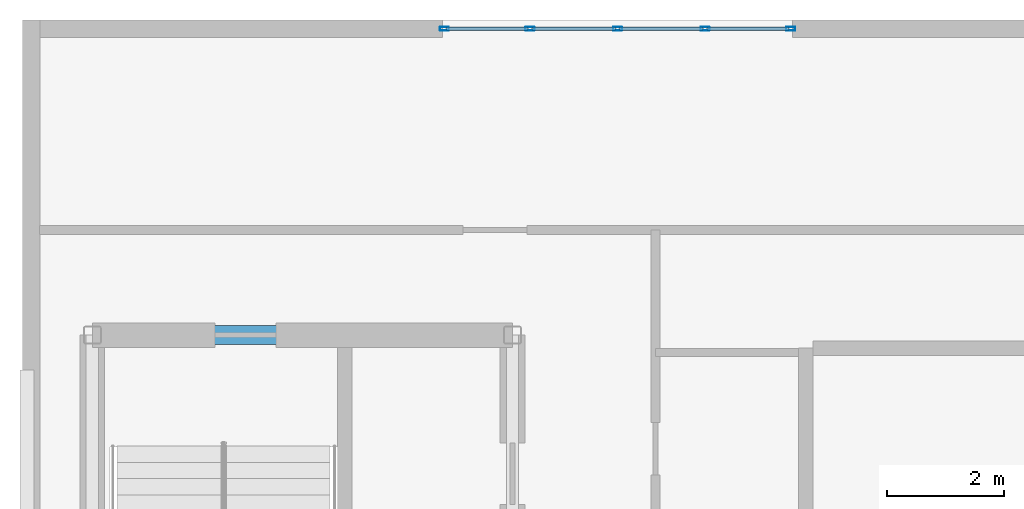
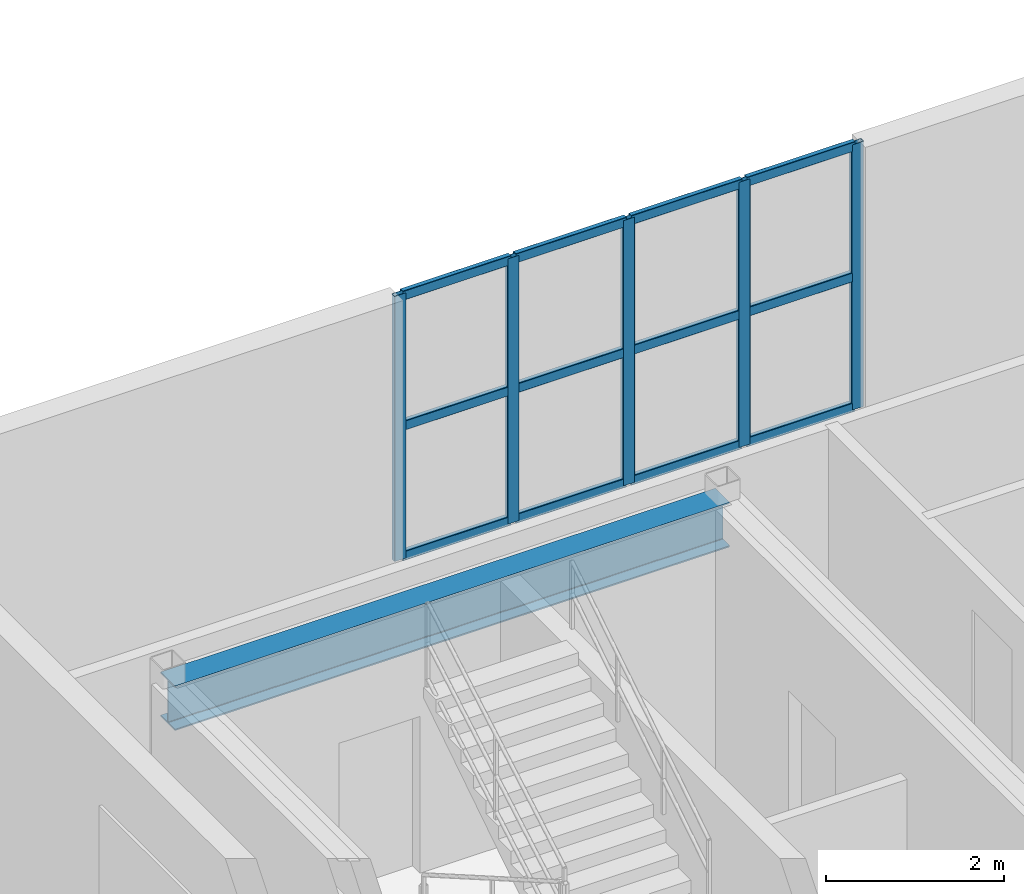
# One storey, part 3 of 6: 17 members, 1 beam, 1 element without a shape of its own.
"""IFC4 building model written with IfcOpenShell, lengths in metres."""

import ifcopenshell
import ifcopenshell.guid

model = None  # the IFC model being written
_history = None  # IfcOwnerHistory: only IFC2X3 demands one
_inside = {}  # id of a spatial element -> (the spatial element, [elements in it])
_under = {}  # id of a project, library or spatial element -> (it, [spatial elements below it])
_declared = {}  # id of a project -> (the project, [libraries it declares])
_typed = {}  # id of a type object -> (the type object, [elements of that type])
_made_of = {}  # id of a material, layer set ... -> (it, [elements and type objects made of it])


def new_model(schema):
    """Start an empty IFC model of exactly this schema.

    Asked for "IFC4X3", IfcOpenShell would pick the latest addendum, in which some entities
    have other attributes; the version numbers below select the first issue.
    IFC2X3 requires an IfcOwnerHistory on every rooted entity: one is made here for all.
    """
    global model, _history
    if schema == "IFC4X3":
        model = ifcopenshell.file(schema_version=(4, 3, 0, 0))
    else:
        model = ifcopenshell.file(schema=schema)
    _inside.clear()
    _under.clear()
    _declared.clear()
    _typed.clear()
    _made_of.clear()
    _history = None
    if model.schema == "IFC2X3":
        org = make("IfcOrganization", Name="unknown")
        user = make(
            "IfcPersonAndOrganization",
            ThePerson=make("IfcPerson", FamilyName="unknown"),
            TheOrganization=org,
        )
        app = make(
            "IfcApplication",
            ApplicationDeveloper=org,
            Version="unknown",
            ApplicationFullName="unknown",
            ApplicationIdentifier="unknown",
        )
        _history = make(
            "IfcOwnerHistory",
            OwningUser=user,
            OwningApplication=app,
            ChangeAction="ADDED",
            CreationDate=0,
        )
    return model


def make(cls, **values):
    """One entity of the class cls with the attributes given. An attribute that is None is left unset."""
    return model.create_entity(
        cls, **{name: value for name, value in values.items() if value is not None}
    )


def entity(cls, *values):
    """Any entity or typed value of the class cls, its attributes in the order of the schema. None: left unset."""
    e = model.create_entity(cls)
    for i, value in enumerate(values):
        if value is not None:
            e[i] = value
    return e


def rooted(cls, **values):
    """An entity with a GlobalId (a new one), such as an element, a storey or a relation."""
    return make(cls, GlobalId=ifcopenshell.guid.new(), OwnerHistory=_history, **values)


def si_unit(unit_type, name, prefix=None):
    """IfcSIUnit, for example si_unit("LENGTHUNIT", "METRE", prefix="MILLI")."""
    return make("IfcSIUnit", UnitType=unit_type, Prefix=prefix, Name=name)


def converted_unit(unit_type, name, factor, base, dimensions=None, offset=None):
    """IfcConversionBasedUnit, such as the inch: factor (a typed value) times the base unit."""
    return make(
        "IfcConversionBasedUnit"
        if offset is None
        else "IfcConversionBasedUnitWithOffset",
        ConversionOffset=offset,
        Dimensions=None
        if dimensions is None
        else entity("IfcDimensionalExponents", *dimensions),
        UnitType=unit_type,
        Name=name,
        ConversionFactor=make(
            "IfcMeasureWithUnit", ValueComponent=factor, UnitComponent=base
        ),
    )


def assignment(units):
    """IfcUnitAssignment: the units of a project."""
    return None if units is None else make("IfcUnitAssignment", Units=units)


def point(xyz):
    """IfcCartesianPoint."""
    return None if xyz is None else make("IfcCartesianPoint", Coordinates=xyz)


def direction(xyz):
    """IfcDirection."""
    return None if xyz is None else make("IfcDirection", DirectionRatios=xyz)


def frame(location, z_axis=None, x_axis=None):
    """IfcAxis2Placement3D, a coordinate frame: its origin and axes. An axis left out is left unset."""
    return make(
        "IfcAxis2Placement3D",
        Location=point(location),
        Axis=direction(z_axis),
        RefDirection=direction(x_axis),
    )


def frame_2d(location, x_axis=None):
    """IfcAxis2Placement2D, a coordinate frame in the plane: its origin and x axis."""
    return make(
        "IfcAxis2Placement2D", Location=point(location), RefDirection=direction(x_axis)
    )


def origin_with_axes():
    """The frame at (0, 0, 0) with the z axis (0, 0, 1) and the x axis (1, 0, 0) written out."""
    return frame((0.0, 0.0, 0.0), z_axis=(0.0, 0.0, 1.0), x_axis=(1.0, 0.0, 0.0))


def origin_2d_with_axis():
    """The frame at (0, 0) in the plane with the x axis (1, 0) written out."""
    return frame_2d((0.0, 0.0), x_axis=(1.0, 0.0))


def place(relative_to, where):
    """IfcLocalPlacement: puts the frame where relative to a parent placement (None: the world)."""
    return make(
        "IfcLocalPlacement", PlacementRelTo=relative_to, RelativePlacement=where
    )


def context(
    kind, dimensions, precision=None, world=None, true_north=None, identifier=None
):
    """IfcGeometricRepresentationContext, for example the 3D "Model" context."""
    return make(
        "IfcGeometricRepresentationContext",
        ContextIdentifier=identifier,
        ContextType=kind,
        CoordinateSpaceDimension=dimensions,
        Precision=precision,
        WorldCoordinateSystem=world,
        TrueNorth=true_north,
    )


def subcontext(parent, identifier, kind, view, scale=None):
    """IfcGeometricRepresentationSubContext, for example "Body" below "Model"."""
    return make(
        "IfcGeometricRepresentationSubContext",
        ContextIdentifier=identifier,
        ContextType=kind,
        ParentContext=parent,
        TargetScale=scale,
        TargetView=view,
    )


def project(units=None, contexts=None):
    """IfcProject with its units and contexts."""
    return rooted(
        "IfcProject",
        Name="project",
        RepresentationContexts=contexts,
        UnitsInContext=assignment(units),
    )


def spatial(cls, under=None, at=None, **own):
    """A site, building, storey or space (cls), placed at a placement, below another one or the project."""
    s = rooted(cls, ObjectPlacement=at, **own)
    if under is not None:
        _under.setdefault(under.id(), (under, []))[1].append(s)
    return s


def profile(cls, at=None, kind="AREA", **sizes):
    """A parametric profile (cls). Its sizes go by their IFC names, for example OverallWidth=200.0."""
    return make(cls, ProfileType=kind, Position=at, **sizes)


def hollow_rectangle(**sizes):
    """IfcRectangleHollowProfileDef."""
    return profile("IfcRectangleHollowProfileDef", **sizes)


def i_section(**sizes):
    """IfcIShapeProfileDef."""
    return profile("IfcIShapeProfileDef", **sizes)


def extrude(swept, where, along, depth):
    """IfcExtrudedAreaSolid: the profile swept, set in the frame where, extruded along a direction by depth."""
    return make(
        "IfcExtrudedAreaSolid",
        SweptArea=swept,
        Position=where,
        ExtrudedDirection=direction(along),
        Depth=depth,
    )


def shape(context_of_items, identifier, shape_type, items):
    """IfcShapeRepresentation: the items that make up one representation, for example the "Body"."""
    return make(
        "IfcShapeRepresentation",
        ContextOfItems=context_of_items,
        RepresentationIdentifier=identifier,
        RepresentationType=shape_type,
        Items=items,
    )


def material(Name=None, Category=None):
    """IfcMaterial."""
    return make("IfcMaterial", Name=Name, Category=Category)


def material_profile(
    of_material, cross_section, Name=None, Category=None, Priority=None
):
    """IfcMaterialProfile: a cross section and its material."""
    return make(
        "IfcMaterialProfile",
        Name=Name,
        Material=of_material,
        Profile=cross_section,
        Priority=Priority,
        Category=Category,
    )


def profile_set(profiles, Name=None, composite=None):
    """IfcMaterialProfileSet."""
    return make(
        "IfcMaterialProfileSet",
        Name=Name,
        MaterialProfiles=profiles,
        CompositeProfile=composite,
    )


def made_of(thing, what):
    """Note that an element or type object is made of a material, layer set ...; save() writes the relation."""
    if what is not None:
        _made_of.setdefault(what.id(), (what, []))[1].append(thing)
    return thing


def type_object(cls, material=None, **own):
    """A type object (cls), such as IfcWallType, which elements share."""
    return made_of(rooted(cls, **own), material)


def element(
    cls,
    number,
    at=None,
    inside=None,
    cuts=None,
    type_object=None,
    material=None,
    context=None,
    identifier="Body",
    shape_type=None,
    held_by="IfcProductDefinitionShape",
    body=None,
    shapes=None,
    **own,
):
    """One element of the class cls, such as IfcWall. Its Tag is "e" and its number.

    at: its placement. inside: the storey or other place that contains it. cuts: it is an
    opening in that element (IfcRelVoidsElement). A single representation is given by context,
    identifier, shape_type and body (its items); several are given by shapes. held_by: the class
    of the entity that holds the representations. save() writes the other relations.
    """
    e = rooted(cls, Tag="e%d" % number, ObjectPlacement=at, **own)
    if body is not None:
        shapes = [shape(context, identifier, shape_type, body)]
    if shapes is not None:
        e.Representation = make(held_by, Representations=shapes)
    if inside is not None:
        _inside.setdefault(inside.id(), (inside, []))[1].append(e)
    if cuts is not None:
        rooted(
            "IfcRelVoidsElement", RelatingBuildingElement=cuts, RelatedOpeningElement=e
        )
    if type_object is not None:
        _typed.setdefault(type_object.id(), (type_object, []))[1].append(e)
    return made_of(e, material)


def aggregate(whole, parts):
    """IfcRelAggregates: a whole, such as a stair, and the parts it consists of."""
    return rooted("IfcRelAggregates", RelatingObject=whole, RelatedObjects=parts)


def save(model, path):
    """Write the relations noted so far, then the file.

    IfcRelAggregates (storeys below a building ...), IfcRelContainedInSpatialStructure (elements
    in a storey), IfcRelDefinesByType, IfcRelAssociatesMaterial and IfcRelDeclares: one each for
    every whole, place, type object, material and project.
    """
    for whole, parts in _under.values():
        aggregate(whole, parts)
    for where, things in _inside.values():
        rooted(
            "IfcRelContainedInSpatialStructure",
            RelatedElements=things,
            RelatingStructure=where,
        )
    for kind, things in _typed.values():
        rooted("IfcRelDefinesByType", RelatedObjects=things, RelatingType=kind)
    for what, things in _made_of.values():
        rooted("IfcRelAssociatesMaterial", RelatedObjects=things, RelatingMaterial=what)
    for by, libraries in _declared.values():
        rooted("IfcRelDeclares", RelatingContext=by, RelatedDefinitions=libraries)
    model.write(path)


model = new_model("IFC4")

# Units and contexts
model_context = context("Model", 3, precision=1e-05, world=origin_with_axes(), true_north=direction((0.0, 1.0)))
body_context = subcontext(model_context, "Body", "Model", "MODEL_VIEW")
ifc_project = project(units=[si_unit("LENGTHUNIT", "METRE"), si_unit("AREAUNIT", "SQUARE_METRE"), si_unit("VOLUMEUNIT", "CUBIC_METRE"), converted_unit("PLANEANGLEUNIT", "DEGREE", entity("IfcPlaneAngleMeasure", 0.017453292519943295), si_unit("PLANEANGLEUNIT", "RADIAN"), dimensions=[0, 0, 0, 0, 0, 0, 0]), si_unit("MASSUNIT", "GRAM", prefix="KILO"), si_unit("THERMODYNAMICTEMPERATUREUNIT", "KELVIN")], contexts=[model_context])

# Site, building, storey
site_placement = place(None, origin_with_axes())
site = spatial("IfcSite", under=ifc_project, at=site_placement, CompositionType="ELEMENT")
building_placement = place(site_placement, origin_with_axes())
building = spatial("IfcBuilding", under=site, at=building_placement, Name="Varnlund Millrace Tower", CompositionType="ELEMENT")
storey_placement = place(building_placement, frame((0.0, 0.0, 324.3), z_axis=(0.0, 0.0, 1.0), x_axis=(1.0, 0.0, 0.0)))
storey = spatial("IfcBuildingStorey", under=building, at=storey_placement, Name="L80", CompositionType="ELEMENT", Elevation=324.3)

# Curtain wall, members
ifc_material_1 = material(Name="Thermally broken architectural bronze curtain wall", Category="aluminium")
curtain_wall_type = type_object("IfcCurtainWallType", Name="Type-CW-Sys7-CrownLantern", PredefinedType="NOTDEFINED", material=ifc_material_1)
curtain_wall_placement = place(storey_placement, frame((17.4, 43.05, 0.0), z_axis=(0.0, 0.0, 1.0), x_axis=(1.0, 0.0, 0.0)))
curtain_wall = element("IfcCurtainWall", 1, at=curtain_wall_placement, inside=storey, type_object=curtain_wall_type, Name="Type-CW-Sys7-CrownLantern", PredefinedType="NOTDEFINED")
ifc_material_2 = material(Name="Architectural bronze aluminium alloy 6063-T6", Category="aluminium")
ifc_material_profile_1 = material_profile(ifc_material_2, hollow_rectangle(XDim=0.065, YDim=0.155, WallThickness=0.0045, InnerFilletRadius=0.004, OuterFilletRadius=0.009, at=origin_2d_with_axis()), Name="Architectural bronze aluminium alloy 6063-T6")
ifc_profile_set_1 = profile_set([ifc_material_profile_1], Name="Architectural bronze aluminium alloy 6063-T6")
member_type_1 = type_object("IfcMemberType", Name="Type-CW-Mullion-65X155", PredefinedType="MULLION", material=ifc_profile_set_1)
member_1_placement = place(storey_placement, frame((17.4325, 43.05, 0.0), z_axis=(0.0, 0.0, 1.0), x_axis=(0.0, 1.0, 0.0)))
member_1 = element("IfcMember", 2, at=member_1_placement, type_object=member_type_1, Name="CW-07 mullion 1", PredefinedType="MULLION", context=body_context, shape_type="SweptSolid", body=[
    extrude(hollow_rectangle(XDim=0.065, YDim=0.155, WallThickness=0.0045, InnerFilletRadius=0.004, OuterFilletRadius=0.009, at=origin_2d_with_axis()), origin_with_axes(), (0.0, 0.0, 1.0), 3.64),
])
member_2_placement = place(storey_placement, frame((18.9, 43.05, 0.0), z_axis=(0.0, 0.0, 1.0), x_axis=(0.0, 1.0, 0.0)))
member_2 = element("IfcMember", 3, at=member_2_placement, type_object=member_type_1, Name="CW-07 mullion 2", PredefinedType="MULLION", context=body_context, shape_type="SweptSolid", body=[
    extrude(hollow_rectangle(XDim=0.065, YDim=0.155, WallThickness=0.0045, InnerFilletRadius=0.004, OuterFilletRadius=0.009, at=origin_2d_with_axis()), origin_with_axes(), (0.0, 0.0, 1.0), 3.64),
])
member_3_placement = place(storey_placement, frame((20.4, 43.05, 0.0), z_axis=(0.0, 0.0, 1.0), x_axis=(0.0, 1.0, 0.0)))
member_3 = element("IfcMember", 4, at=member_3_placement, type_object=member_type_1, Name="CW-07 mullion 3", PredefinedType="MULLION", context=body_context, shape_type="SweptSolid", body=[
    extrude(hollow_rectangle(XDim=0.065, YDim=0.155, WallThickness=0.0045, InnerFilletRadius=0.004, OuterFilletRadius=0.009, at=origin_2d_with_axis()), origin_with_axes(), (0.0, 0.0, 1.0), 3.64),
])
member_4_placement = place(storey_placement, frame((21.9, 43.05, 0.0), z_axis=(0.0, 0.0, 1.0), x_axis=(0.0, 1.0, 0.0)))
member_4 = element("IfcMember", 5, at=member_4_placement, type_object=member_type_1, Name="CW-07 mullion 4", PredefinedType="MULLION", context=body_context, shape_type="SweptSolid", body=[
    extrude(hollow_rectangle(XDim=0.065, YDim=0.155, WallThickness=0.0045, InnerFilletRadius=0.004, OuterFilletRadius=0.009, at=origin_2d_with_axis()), origin_with_axes(), (0.0, 0.0, 1.0), 3.64),
])
member_5_placement = place(storey_placement, frame((23.3675, 43.05, 0.0), z_axis=(0.0, 0.0, 1.0), x_axis=(0.0, 1.0, 0.0)))
member_5 = element("IfcMember", 6, at=member_5_placement, type_object=member_type_1, Name="CW-07 mullion 5", PredefinedType="MULLION", context=body_context, shape_type="SweptSolid", body=[
    extrude(hollow_rectangle(XDim=0.065, YDim=0.155, WallThickness=0.0045, InnerFilletRadius=0.004, OuterFilletRadius=0.009, at=origin_2d_with_axis()), origin_with_axes(), (0.0, 0.0, 1.0), 3.64),
])
ifc_material_profile_2 = material_profile(ifc_material_2, hollow_rectangle(XDim=0.065, YDim=0.13, WallThickness=0.0045, InnerFilletRadius=0.004, OuterFilletRadius=0.009, at=origin_2d_with_axis()), Name="Architectural bronze aluminium alloy 6063-T6")
ifc_profile_set_2 = profile_set([ifc_material_profile_2], Name="Architectural bronze aluminium alloy 6063-T6")
member_type_2 = type_object("IfcMemberType", Name="Type-CW-Transom-65X130", PredefinedType="USERDEFINED", material=ifc_profile_set_2)
member_6_placement = place(storey_placement, frame((17.465, 43.05, 0.0325), z_axis=(1.0, 0.0, 0.0), x_axis=(0.0, 1.0, 0.0)))
member_6 = element("IfcMember", 7, at=member_6_placement, type_object=member_type_2, Name="CW-07 transom 1.1", ObjectType="TRANSOM", PredefinedType="USERDEFINED", context=body_context, shape_type="SweptSolid", body=[
    extrude(hollow_rectangle(XDim=0.065, YDim=0.13, WallThickness=0.0045, InnerFilletRadius=0.004, OuterFilletRadius=0.009, at=origin_2d_with_axis()), origin_with_axes(), (0.0, 0.0, 1.0), 1.4025),
])
member_7_placement = place(storey_placement, frame((17.465, 43.05, 1.82), z_axis=(1.0, 0.0, 0.0), x_axis=(0.0, 1.0, 0.0)))
member_7 = element("IfcMember", 8, at=member_7_placement, type_object=member_type_2, Name="CW-07 transom 1.2", ObjectType="TRANSOM", PredefinedType="USERDEFINED", context=body_context, shape_type="SweptSolid", body=[
    extrude(hollow_rectangle(XDim=0.065, YDim=0.13, WallThickness=0.0045, InnerFilletRadius=0.004, OuterFilletRadius=0.009, at=origin_2d_with_axis()), origin_with_axes(), (0.0, 0.0, 1.0), 1.4025),
])
member_8_placement = place(storey_placement, frame((17.465, 43.05, 3.6075), z_axis=(1.0, 0.0, 0.0), x_axis=(0.0, 1.0, 0.0)))
member_8 = element("IfcMember", 9, at=member_8_placement, type_object=member_type_2, Name="CW-07 transom 1.3", ObjectType="TRANSOM", PredefinedType="USERDEFINED", context=body_context, shape_type="SweptSolid", body=[
    extrude(hollow_rectangle(XDim=0.065, YDim=0.13, WallThickness=0.0045, InnerFilletRadius=0.004, OuterFilletRadius=0.009, at=origin_2d_with_axis()), origin_with_axes(), (0.0, 0.0, 1.0), 1.4025),
])
member_9_placement = place(storey_placement, frame((18.9325, 43.05, 0.0325), z_axis=(1.0, 0.0, 0.0), x_axis=(0.0, 1.0, 0.0)))
member_9 = element("IfcMember", 10, at=member_9_placement, type_object=member_type_2, Name="CW-07 transom 2.1", ObjectType="TRANSOM", PredefinedType="USERDEFINED", context=body_context, shape_type="SweptSolid", body=[
    extrude(hollow_rectangle(XDim=0.065, YDim=0.13, WallThickness=0.0045, InnerFilletRadius=0.004, OuterFilletRadius=0.009, at=origin_2d_with_axis()), origin_with_axes(), (0.0, 0.0, 1.0), 1.435),
])
member_10_placement = place(storey_placement, frame((18.9325, 43.05, 1.82), z_axis=(1.0, 0.0, 0.0), x_axis=(0.0, 1.0, 0.0)))
member_10 = element("IfcMember", 11, at=member_10_placement, type_object=member_type_2, Name="CW-07 transom 2.2", ObjectType="TRANSOM", PredefinedType="USERDEFINED", context=body_context, shape_type="SweptSolid", body=[
    extrude(hollow_rectangle(XDim=0.065, YDim=0.13, WallThickness=0.0045, InnerFilletRadius=0.004, OuterFilletRadius=0.009, at=origin_2d_with_axis()), origin_with_axes(), (0.0, 0.0, 1.0), 1.435),
])
member_11_placement = place(storey_placement, frame((18.9325, 43.05, 3.6075), z_axis=(1.0, 0.0, 0.0), x_axis=(0.0, 1.0, 0.0)))
member_11 = element("IfcMember", 12, at=member_11_placement, type_object=member_type_2, Name="CW-07 transom 2.3", ObjectType="TRANSOM", PredefinedType="USERDEFINED", context=body_context, shape_type="SweptSolid", body=[
    extrude(hollow_rectangle(XDim=0.065, YDim=0.13, WallThickness=0.0045, InnerFilletRadius=0.004, OuterFilletRadius=0.009, at=origin_2d_with_axis()), origin_with_axes(), (0.0, 0.0, 1.0), 1.435),
])
member_12_placement = place(storey_placement, frame((20.4325, 43.05, 0.0325), z_axis=(1.0, 0.0, 0.0), x_axis=(0.0, 1.0, 0.0)))
member_12 = element("IfcMember", 13, at=member_12_placement, type_object=member_type_2, Name="CW-07 transom 3.1", ObjectType="TRANSOM", PredefinedType="USERDEFINED", context=body_context, shape_type="SweptSolid", body=[
    extrude(hollow_rectangle(XDim=0.065, YDim=0.13, WallThickness=0.0045, InnerFilletRadius=0.004, OuterFilletRadius=0.009, at=origin_2d_with_axis()), origin_with_axes(), (0.0, 0.0, 1.0), 1.435),
])
member_13_placement = place(storey_placement, frame((20.4325, 43.05, 1.82), z_axis=(1.0, 0.0, 0.0), x_axis=(0.0, 1.0, 0.0)))
member_13 = element("IfcMember", 14, at=member_13_placement, type_object=member_type_2, Name="CW-07 transom 3.2", ObjectType="TRANSOM", PredefinedType="USERDEFINED", context=body_context, shape_type="SweptSolid", body=[
    extrude(hollow_rectangle(XDim=0.065, YDim=0.13, WallThickness=0.0045, InnerFilletRadius=0.004, OuterFilletRadius=0.009, at=origin_2d_with_axis()), origin_with_axes(), (0.0, 0.0, 1.0), 1.435),
])
member_14_placement = place(storey_placement, frame((20.4325, 43.05, 3.6075), z_axis=(1.0, 0.0, 0.0), x_axis=(0.0, 1.0, 0.0)))
member_14 = element("IfcMember", 15, at=member_14_placement, type_object=member_type_2, Name="CW-07 transom 3.3", ObjectType="TRANSOM", PredefinedType="USERDEFINED", context=body_context, shape_type="SweptSolid", body=[
    extrude(hollow_rectangle(XDim=0.065, YDim=0.13, WallThickness=0.0045, InnerFilletRadius=0.004, OuterFilletRadius=0.009, at=origin_2d_with_axis()), origin_with_axes(), (0.0, 0.0, 1.0), 1.435),
])
member_15_placement = place(storey_placement, frame((21.9325, 43.05, 0.0325), z_axis=(1.0, 0.0, 0.0), x_axis=(0.0, 1.0, 0.0)))
member_15 = element("IfcMember", 16, at=member_15_placement, type_object=member_type_2, Name="CW-07 transom 4.1", ObjectType="TRANSOM", PredefinedType="USERDEFINED", context=body_context, shape_type="SweptSolid", body=[
    extrude(hollow_rectangle(XDim=0.065, YDim=0.13, WallThickness=0.0045, InnerFilletRadius=0.004, OuterFilletRadius=0.009, at=origin_2d_with_axis()), origin_with_axes(), (0.0, 0.0, 1.0), 1.4025),
])
member_16_placement = place(storey_placement, frame((21.9325, 43.05, 1.82), z_axis=(1.0, 0.0, 0.0), x_axis=(0.0, 1.0, 0.0)))
member_16 = element("IfcMember", 17, at=member_16_placement, type_object=member_type_2, Name="CW-07 transom 4.2", ObjectType="TRANSOM", PredefinedType="USERDEFINED", context=body_context, shape_type="SweptSolid", body=[
    extrude(hollow_rectangle(XDim=0.065, YDim=0.13, WallThickness=0.0045, InnerFilletRadius=0.004, OuterFilletRadius=0.009, at=origin_2d_with_axis()), origin_with_axes(), (0.0, 0.0, 1.0), 1.4025),
])
member_17_placement = place(storey_placement, frame((21.9325, 43.05, 3.6075), z_axis=(1.0, 0.0, 0.0), x_axis=(0.0, 1.0, 0.0)))
member_17 = element("IfcMember", 18, at=member_17_placement, type_object=member_type_2, Name="CW-07 transom 4.3", ObjectType="TRANSOM", PredefinedType="USERDEFINED", context=body_context, shape_type="SweptSolid", body=[
    extrude(hollow_rectangle(XDim=0.065, YDim=0.13, WallThickness=0.0045, InnerFilletRadius=0.004, OuterFilletRadius=0.009, at=origin_2d_with_axis()), origin_with_axes(), (0.0, 0.0, 1.0), 1.4025),
])
aggregate(curtain_wall, [member_1, member_2, member_3, member_4, member_5, member_6, member_7, member_8, member_9, member_10, member_11, member_12, member_13, member_14, member_15, member_16, member_17])

# Beam
ifc_material_3 = material(Name="Steel ASTM A992 Grade 50", Category="steel")
ifc_material_profile_3 = material_profile(ifc_material_3, i_section(OverallWidth=0.324, OverallDepth=0.611, WebThickness=0.0127, FlangeThickness=0.0191, FilletRadius=0.016, at=origin_2d_with_axis()), Name="Steel ASTM A992 Grade 50")
ifc_profile_set_3 = profile_set([ifc_material_profile_3], Name="Steel ASTM A992 Grade 50")
beam_type = type_object("IfcBeamType", Name="Type-Girder-W24X104", PredefinedType="USERDEFINED", material=ifc_profile_set_3)
beam_placement = place(storey_placement, frame((11.4, 37.8, 3.3345), z_axis=(1.0, 0.0, 0.0), x_axis=(0.0, 1.0, 0.0)))
element("IfcBeam", 19, at=beam_placement, inside=storey, type_object=beam_type, Name="Type-Girder-W24X104", ObjectType="GIRDER", PredefinedType="USERDEFINED", context=body_context, shape_type="SweptSolid", body=[
    extrude(i_section(OverallWidth=0.324, OverallDepth=0.611, WebThickness=0.0127, FlangeThickness=0.0191, FilletRadius=0.016, at=origin_2d_with_axis()), origin_with_axes(), (0.0, 0.0, 1.0), 7.2),
])

save(model, "model.ifc")
